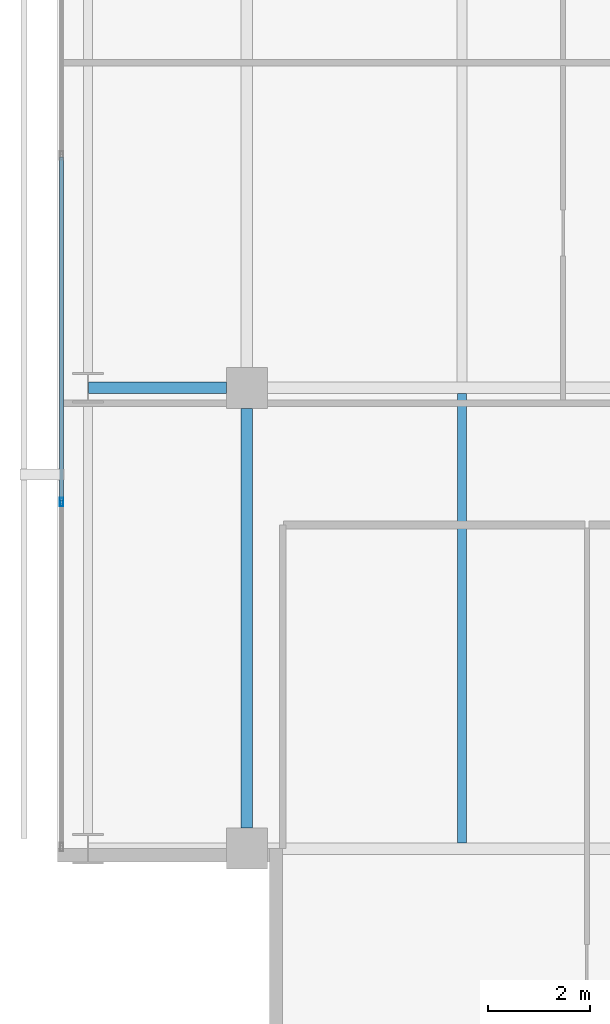
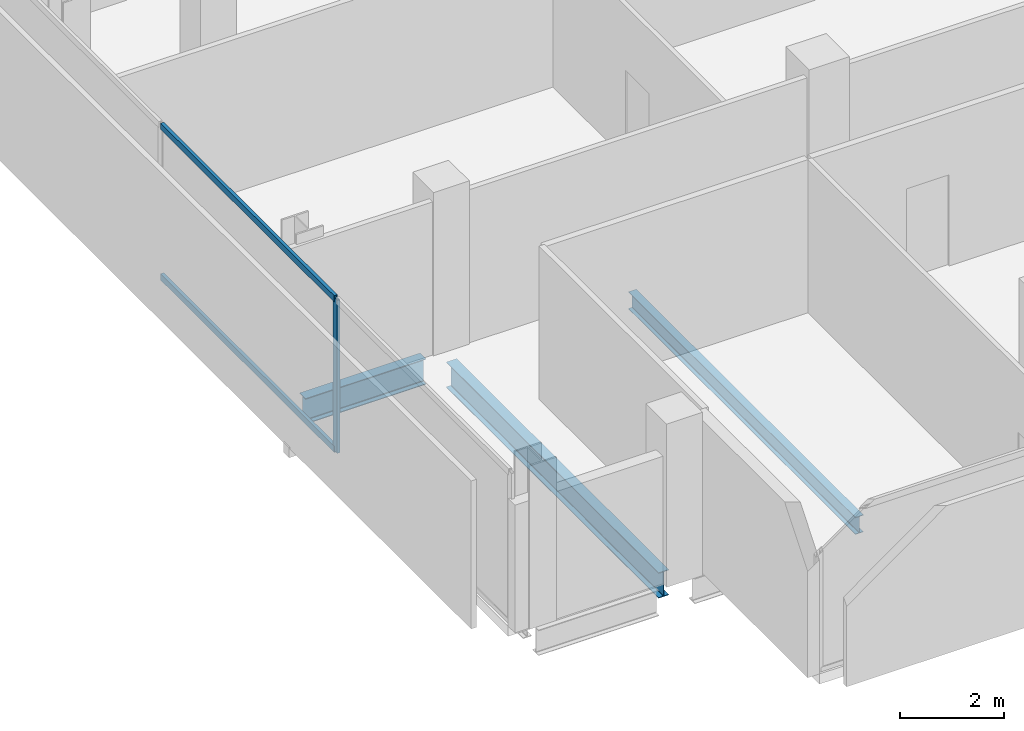
# One storey, part 4 of 32: 3 beams, 3 members, 1 element without a shape of its own.
"""IFC4 building model written with IfcOpenShell, lengths in metres."""

from ifc_helpers import new_model, si_unit, direction, frame, origin, origin_2d, place, context, subcontext, project, spatial, hollow_rectangle, i_section, extrude, material, layer, layer_set, material_profile, profile_set, type_object, element, aggregate, save


model = new_model("IFC4")

# Units and contexts
model_context = context("Model", 3, precision=1e-05, world=origin(), true_north=direction((0.0, 1.0)))
body_context = subcontext(model_context, "Body", "Model", "MODEL_VIEW")
ifc_project = project(units=[si_unit("LENGTHUNIT", "METRE"), si_unit("AREAUNIT", "SQUARE_METRE"), si_unit("VOLUMEUNIT", "CUBIC_METRE"), si_unit("PLANEANGLEUNIT", "RADIAN"), si_unit("MASSUNIT", "GRAM", prefix="KILO")], contexts=[model_context])

# Site, building, storey
site_placement = place(None, origin())
site = spatial("IfcSite", under=ifc_project, at=site_placement, CompositionType="ELEMENT")
building_placement = place(site_placement, origin())
building = spatial("IfcBuilding", under=site, at=building_placement, Name="Maruvema Waterfront Hotel and Observation Tower", CompositionType="ELEMENT")
storey_placement = place(building_placement, frame((0.0, 0.0, 162.050048828125)))
storey = spatial("IfcBuildingStorey", under=building, at=storey_placement, Name="L39", CompositionType="ELEMENT", Elevation=162.050048828125)

# Curtain wall, members
ifc_material_1 = material(Name="Anodised bronze aluminium and solar-control low-E IGU", Category="aluminium")
ifc_layer = layer(ifc_material_1, 0.159912109375, Name="Zone 2 Amber Inner Thermal Curtain Wall System CW-03")
ifc_layer_set = layer_set([ifc_layer], Name="Anodised bronze aluminium and solar-control low-E IGU")
curtain_wall_type = type_object("IfcCurtainWallType", Name="Zone 2 Amber Inner Thermal Curtain Wall System CW-03", PredefinedType="USERDEFINED", material=ifc_layer_set)
curtain_wall_placement = place(storey_placement, origin())
curtain_wall = element("IfcCurtainWall", 1, at=curtain_wall_placement, inside=storey, type_object=curtain_wall_type, Name="L39 Curtain Wall CW-L39-W", ObjectType="UNITISED CURTAIN WALL", PredefinedType="USERDEFINED")
ifc_material_2 = material(Name="Anodised architectural bronze aluminium", Category="aluminium")
ifc_material_profile_1 = material_profile(ifc_material_2, hollow_rectangle(XDim=0.070068359375, YDim=0.14990234375, WallThickness=0.00390625, at=origin_2d()), Name="ALU-T70x150")
ifc_profile_set_1 = profile_set([ifc_material_profile_1], Name="Anodised architectural bronze aluminium")
member_type_1 = type_object("IfcMemberType", Name="Curtain Wall Horizontal Transom ALU-T70x150", PredefinedType="USERDEFINED", material=ifc_profile_set_1)
member_1_placement = place(storey_placement, frame((13.179931640625, 22.50341796875, 0.030029296875), z_axis=(0.0, -1.0, 0.0), x_axis=(1.0, 0.0, 0.0)))
member_1 = element("IfcMember", 2, at=member_1_placement, type_object=member_type_1, Name="CW-03 transom 5.1", ObjectType="TRANSOM", PredefinedType="USERDEFINED", context=body_context, shape_type="SweptSolid", body=[
    extrude(hollow_rectangle(XDim=0.070068359375, YDim=0.14990234375, WallThickness=0.00390625, at=origin_2d()), origin(), (0.0, 0.0, 1.0), 6.706787109375),
])
member_2_placement = place(storey_placement, frame((13.179931640625, 22.50341796875, 3.579833984375), z_axis=(0.0, -1.0, 0.0), x_axis=(1.0, 0.0, 0.0)))
member_2 = element("IfcMember", 3, at=member_2_placement, type_object=member_type_1, Name="CW-03 transom 5.2", ObjectType="TRANSOM", PredefinedType="USERDEFINED", context=body_context, shape_type="SweptSolid", body=[
    extrude(hollow_rectangle(XDim=0.070068359375, YDim=0.14990234375, WallThickness=0.00390625, at=origin_2d()), origin(), (0.0, 0.0, 1.0), 6.706787109375),
])
ifc_material_3 = material(Name="Anodised architectural bronze aluminium", Category="aluminium")
ifc_material_profile_2 = material_profile(ifc_material_3, hollow_rectangle(XDim=0.06494140625, YDim=0.1650390625, WallThickness=0.00390625, at=origin_2d()), Name="ALU-M65x165")
ifc_profile_set_2 = profile_set([ifc_material_profile_2], Name="Anodised architectural bronze aluminium")
member_type_2 = type_object("IfcMemberType", Name="Curtain Wall Primary Mullion ALU-M65x165", PredefinedType="MULLION", material=ifc_profile_set_2)
member_3_placement = place(storey_placement, frame((13.179931640625, 15.7666015625, 0.0), z_axis=(0.0, 0.0, 1.0), x_axis=(1.0, 0.0, 0.0)))
member_3 = element("IfcMember", 4, at=member_3_placement, type_object=member_type_2, Name="CW-03 mullion 6", PredefinedType="MULLION", context=body_context, shape_type="SweptSolid", body=[
    extrude(hollow_rectangle(XDim=0.06494140625, YDim=0.1650390625, WallThickness=0.00390625, at=origin_2d()), origin(), (0.0, 0.0, 1.0), 3.60986328125),
])
aggregate(curtain_wall, [member_3, member_1, member_2])

# Beams
ifc_material_4 = material(Name="Steel ASTM A572 Grade 50", Category="steel")
ifc_material_profile_3 = material_profile(ifc_material_4, i_section(OverallWidth=0.22802734375, OverallDepth=0.60302734375, WebThickness=0.010498046875, FlangeThickness=0.014892578125, FilletRadius=0.01806640625, at=origin_2d()), Name="W610x101.0")
ifc_profile_set_3 = profile_set([ifc_material_profile_3], Name="Steel ASTM A572 Grade 50")
beam_type_1 = type_object("IfcBeamType", Name="Primary Floor Girder W610x101.0", PredefinedType="BEAM", material=ifc_profile_set_3)
beam_1_placement = place(storey_placement, frame((13.71240234375, 18.0, -0.54150390625), z_axis=(1.0, 0.0, 0.0), x_axis=(0.0, 1.0, 0.0)))
element("IfcBeam", 5, at=beam_1_placement, inside=storey, type_object=beam_type_1, Name="L39 Floor Girder EW-11", PredefinedType="BEAM", context=body_context, shape_type="SweptSolid", body=[
    extrude(i_section(OverallWidth=0.22802734375, OverallDepth=0.60302734375, WebThickness=0.010498046875, FlangeThickness=0.014892578125, FilletRadius=0.01806640625, at=origin_2d()), origin(), (0.0, 0.0, 1.0), 2.6875),
])
beam_2_placement = place(storey_placement, frame((16.800048828125, 9.39990234375, -0.54150390625), z_axis=(0.0, 1.0, 0.0), x_axis=(-1.0, 0.0, 0.0)))
element("IfcBeam", 6, at=beam_2_placement, inside=storey, type_object=beam_type_1, Name="L39 Floor Girder NS-05", PredefinedType="BEAM", context=body_context, shape_type="SweptSolid", body=[
    extrude(i_section(OverallWidth=0.22802734375, OverallDepth=0.60302734375, WebThickness=0.010498046875, FlangeThickness=0.014892578125, FilletRadius=0.01806640625, at=origin_2d()), origin(), (0.0, 0.0, 1.0), 8.2001953125),
])
ifc_material_5 = material(Name="Steel ASTM A572 Grade 50", Category="steel")
ifc_material_profile_4 = material_profile(ifc_material_5, i_section(OverallWidth=0.177001953125, OverallDepth=0.403076171875, WebThickness=0.007568359375, FlangeThickness=0.010986328125, FilletRadius=0.014892578125, at=origin_2d()), Name="W410x53.0")
ifc_profile_set_4 = profile_set([ifc_material_profile_4], Name="Steel ASTM A572 Grade 50")
beam_type_2 = type_object("IfcBeamType", Name="Secondary Floor Joist W410x53.0", PredefinedType="JOIST", material=ifc_profile_set_4)
beam_3_placement = place(storey_placement, frame((21.0, 9.114013671875, -0.441650390625), z_axis=(0.0, 1.0, 0.0), x_axis=(-1.0, 0.0, 0.0)))
element("IfcBeam", 7, at=beam_3_placement, inside=storey, type_object=beam_type_2, Name="L39 Secondary Floor Joist JS-01", PredefinedType="JOIST", context=body_context, shape_type="SweptSolid", body=[
    extrude(i_section(OverallWidth=0.177001953125, OverallDepth=0.403076171875, WebThickness=0.007568359375, FlangeThickness=0.010986328125, FilletRadius=0.014892578125, at=origin_2d()), origin(), (0.0, 0.0, 1.0), 8.77197265625),
])

save(model, "model.ifc")
